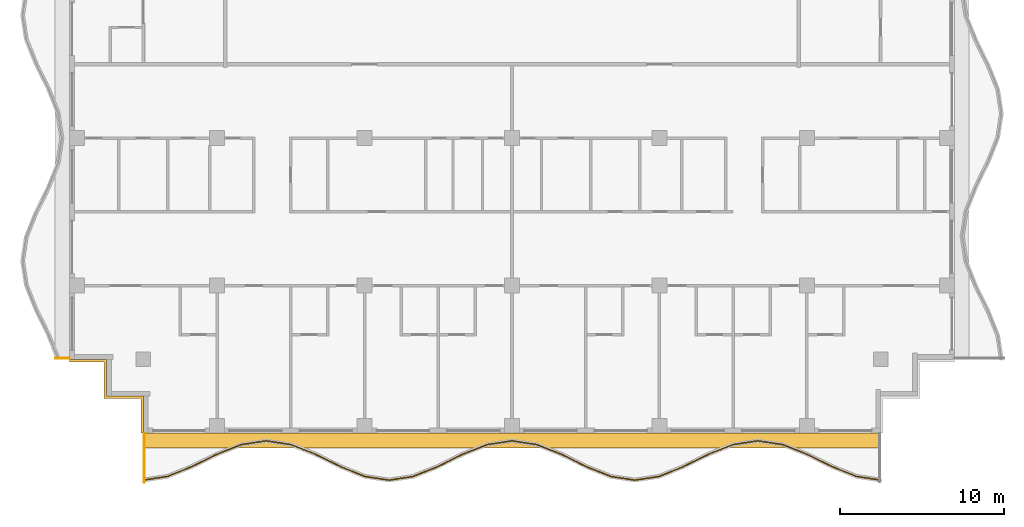
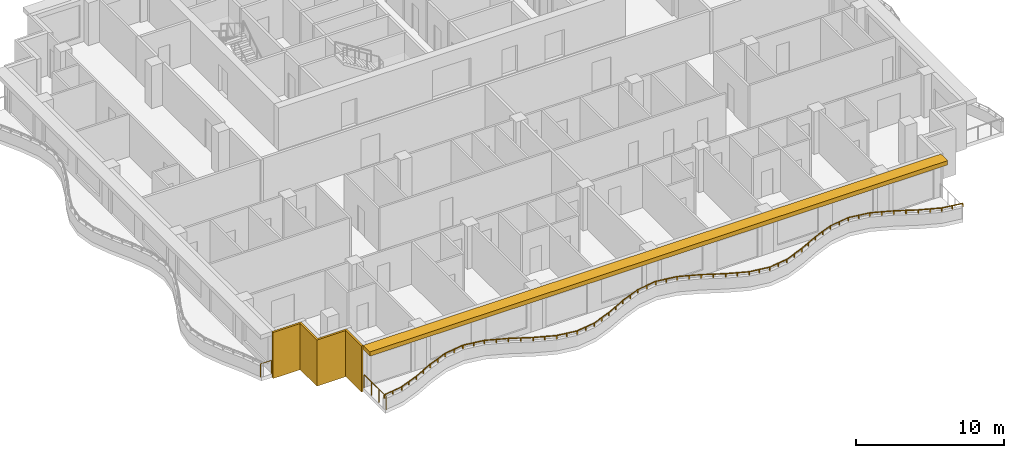
# One storey, part 8 of 11: 3 railings, 2 shading devices.
"""IFC4 building model written with IfcOpenShell, lengths in metres."""

from ifc_helpers import new_model, si_unit, direction, frame, origin, origin_2d, place, context, subcontext, project, spatial, polyline, rectangle, outline, extrude, material, layer, layer_set, type_object, element, save


model = new_model("IFC4")

# Units and contexts
model_context = context("Model", 3, precision=1e-05, world=origin(), true_north=direction((0.0, 1.0)))
body_context = subcontext(model_context, "Body", "Model", "MODEL_VIEW")
ifc_project = project(units=[si_unit("LENGTHUNIT", "METRE"), si_unit("AREAUNIT", "SQUARE_METRE"), si_unit("VOLUMEUNIT", "CUBIC_METRE"), si_unit("PLANEANGLEUNIT", "RADIAN"), si_unit("MASSUNIT", "GRAM", prefix="KILO")], contexts=[model_context])

# Site, building, storey
site_placement = place(None, origin())
site = spatial("IfcSite", under=ifc_project, at=site_placement, CompositionType="ELEMENT")
building_placement = place(site_placement, origin())
building = spatial("IfcBuilding", under=site, at=building_placement, Name="Orbiselva Terraces", CompositionType="ELEMENT")
storey_placement = place(building_placement, frame((0.0, 0.0, 280.6)))
storey = spatial("IfcBuildingStorey", under=building, at=storey_placement, Name="L71", CompositionType="ELEMENT", Elevation=280.6)

# Railings
ifc_material_1 = material(Name="Bonded two-ply safety glass balustrade, stainless steel posts", Category="steel")
railing_type_1 = type_object("IfcRailingType", Name="ENV-BALUSTRADE-1200", PredefinedType="BALUSTRADE", material=ifc_material_1)
railing_1_placement = place(storey_placement, frame((-22.518879, -25.376434, 0.9)))
element("IfcRailing", 1, at=railing_1_placement, inside=storey, type_object=railing_type_1, Name="Balcony balustrade L71 S", PredefinedType="BALUSTRADE", context=body_context, shape_type="SweptSolid", body=[
    extrude(outline(polyline([(0.028868, 0.0), (0.014434, 0.025), (-0.014434, 0.025), (-0.028868, 0.0), (-0.014434, -0.025), (0.014434, -0.025), (0.028868, 0.0)])), frame((0.0, 0.0, 0.275), z_axis=(0.988528552748, 0.151034103443, 0.0), x_axis=(-0.151034103443, 0.988528552748, 0.0)), (0.0, 0.0, 1.0), 1.503038),
    extrude(outline(polyline([(0.028868, 0.0), (0.014434, 0.025), (-0.014434, 0.025), (-0.028868, 0.0), (-0.014434, -0.025), (0.014434, -0.025), (0.028868, 0.0)])), frame((1.485796, 0.22701, 0.275), z_axis=(0.928476561272, 0.371391000387, 0.0), x_axis=(-0.371391000387, 0.928476561272, 0.0)), (0.0, 0.0, 1.0), 1.596261),
    extrude(outline(polyline([(0.028868, 0.0), (0.014434, 0.025), (-0.014434, 0.025), (-0.028868, 0.0), (-0.014434, -0.025), (0.014434, -0.025), (0.028868, 0.0)])), frame((2.967887, 0.819847, 0.275), z_axis=(0.896416672454, 0.443212307306, 0.0), x_axis=(-0.443212307306, 0.896416672454, 0.0)), (0.0, 0.0, 1.0), 1.673329),
    extrude(outline(polyline([(0.028868, 0.0), (0.014434, 0.025), (-0.014434, 0.025), (-0.028868, 0.0), (-0.014434, -0.025), (0.014434, -0.025), (0.028868, 0.0)])), frame((4.467887, 1.561487, 0.275), z_axis=(0.92847681744, 0.371390359967, 0.0), x_axis=(-0.371390359967, 0.92847681744, 0.0)), (0.0, 0.0, 1.0), 1.634838),
    extrude(outline(polyline([(0.028868, 0.0), (0.014434, 0.025), (-0.014434, 0.025), (-0.028868, 0.0), (-0.014434, -0.025), (0.014434, -0.025), (0.028868, 0.0)])), frame((5.985796, 2.16865, 0.275), z_axis=(0.988528536275, 0.151034211256, 0.0), x_axis=(-0.151034211256, 0.988528536275, 0.0)), (0.0, 0.0, 1.0), 1.550874),
    extrude(outline(polyline([(0.028868, 0.0), (0.014434, 0.025), (-0.014434, 0.025), (-0.028868, 0.0), (-0.014434, -0.025), (0.014434, -0.025), (0.028868, 0.0)])), frame((7.518879, 2.402885, 0.275), z_axis=(0.988528536275, -0.151034211256, 0.0), x_axis=(0.151034211256, 0.988528536275, 0.0)), (0.0, 0.0, 1.0), 1.550874),
    extrude(outline(polyline([(0.028868, 0.0), (0.014434, 0.025), (-0.014434, 0.025), (-0.028868, 0.0), (-0.014434, -0.025), (0.014434, -0.025), (0.028868, 0.0)])), frame((9.051962, 2.16865, 0.275), z_axis=(0.92847681744, -0.371390359967, 0.0), x_axis=(0.371390359967, 0.92847681744, 0.0)), (0.0, 0.0, 1.0), 1.634838),
    extrude(outline(polyline([(0.028868, 0.0), (0.014434, 0.025), (-0.014434, 0.025), (-0.028868, 0.0), (-0.014434, -0.025), (0.014434, -0.025), (0.028868, 0.0)])), frame((10.569871, 1.561487, 0.275), z_axis=(0.896416672454, -0.443212307306, 0.0), x_axis=(0.443212307306, 0.896416672454, 0.0)), (0.0, 0.0, 1.0), 1.673329),
    extrude(outline(polyline([(0.028868, 0.0), (0.014434, 0.025), (-0.014434, 0.025), (-0.028868, 0.0), (-0.014434, -0.025), (0.014434, -0.025), (0.028868, 0.0)])), frame((12.069871, 0.819847, 0.275), z_axis=(0.928476561272, -0.371391000387, 0.0), x_axis=(0.371391000387, 0.928476561272, 0.0)), (0.0, 0.0, 1.0), 1.596261),
    extrude(outline(polyline([(0.028868, 0.0), (0.014434, 0.025), (-0.014434, 0.025), (-0.028868, 0.0), (-0.014434, -0.025), (0.014434, -0.025), (0.028868, 0.0)])), frame((13.551962, 0.22701, 0.275), z_axis=(0.988528606898, -0.151033749027, 0.0), x_axis=(0.151033749027, 0.988528606898, 0.0)), (0.0, 0.0, 1.0), 1.48394),
    extrude(outline(polyline([(0.028868, 0.0), (0.014434, 0.025), (-0.014434, 0.025), (-0.028868, 0.0), (-0.014434, -0.025), (0.014434, -0.025), (0.028868, 0.0)])), frame((15.018879, 0.002885, 0.275), z_axis=(0.988528606898, 0.151033749027, 0.0), x_axis=(-0.151033749027, 0.988528606898, 0.0)), (0.0, 0.0, 1.0), 1.48394),
    extrude(outline(polyline([(0.028868, 0.0), (0.014434, 0.025), (-0.014434, 0.025), (-0.028868, 0.0), (-0.014434, -0.025), (0.014434, -0.025), (0.028868, 0.0)])), frame((16.485796, 0.22701, 0.275), z_axis=(0.928476561272, 0.371391000387, 0.0), x_axis=(-0.371391000387, 0.928476561272, 0.0)), (0.0, 0.0, 1.0), 1.596261),
    extrude(outline(polyline([(0.028868, 0.0), (0.014434, 0.025), (-0.014434, 0.025), (-0.028868, 0.0), (-0.014434, -0.025), (0.014434, -0.025), (0.028868, 0.0)])), frame((17.967887, 0.819847, 0.275), z_axis=(0.896416672454, 0.443212307306, 0.0), x_axis=(-0.443212307306, 0.896416672454, 0.0)), (0.0, 0.0, 1.0), 1.673329),
    extrude(outline(polyline([(0.028868, 0.0), (0.014434, 0.025), (-0.014434, 0.025), (-0.028868, 0.0), (-0.014434, -0.025), (0.014434, -0.025), (0.028868, 0.0)])), frame((19.467887, 1.561487, 0.275), z_axis=(0.92847681744, 0.371390359967, 0.0), x_axis=(-0.371390359967, 0.92847681744, 0.0)), (0.0, 0.0, 1.0), 1.634838),
    extrude(outline(polyline([(0.028868, 0.0), (0.014434, 0.025), (-0.014434, 0.025), (-0.028868, 0.0), (-0.014434, -0.025), (0.014434, -0.025), (0.028868, 0.0)])), frame((20.985796, 2.16865, 0.275), z_axis=(0.988528536275, 0.151034211256, 0.0), x_axis=(-0.151034211256, 0.988528536275, 0.0)), (0.0, 0.0, 1.0), 1.550874),
    extrude(outline(polyline([(0.028868, 0.0), (0.014434, 0.025), (-0.014434, 0.025), (-0.028868, 0.0), (-0.014434, -0.025), (0.014434, -0.025), (0.028868, 0.0)])), frame((22.518879, 2.402885, 0.275), z_axis=(0.988528536275, -0.151034211256, 0.0), x_axis=(0.151034211256, 0.988528536275, 0.0)), (0.0, 0.0, 1.0), 1.550874),
    extrude(outline(polyline([(0.028868, 0.0), (0.014434, 0.025), (-0.014434, 0.025), (-0.028868, 0.0), (-0.014434, -0.025), (0.014434, -0.025), (0.028868, 0.0)])), frame((24.051962, 2.16865, 0.275), z_axis=(0.92847681744, -0.371390359967, 0.0), x_axis=(0.371390359967, 0.92847681744, 0.0)), (0.0, 0.0, 1.0), 1.634838),
    extrude(outline(polyline([(0.028868, 0.0), (0.014434, 0.025), (-0.014434, 0.025), (-0.028868, 0.0), (-0.014434, -0.025), (0.014434, -0.025), (0.028868, 0.0)])), frame((25.569871, 1.561487, 0.275), z_axis=(0.896416672454, -0.443212307306, 0.0), x_axis=(0.443212307306, 0.896416672454, 0.0)), (0.0, 0.0, 1.0), 1.673329),
    extrude(outline(polyline([(0.028868, 0.0), (0.014434, 0.025), (-0.014434, 0.025), (-0.028868, 0.0), (-0.014434, -0.025), (0.014434, -0.025), (0.028868, 0.0)])), frame((27.069871, 0.819847, 0.275), z_axis=(0.928476561272, -0.371391000387, 0.0), x_axis=(0.371391000387, 0.928476561272, 0.0)), (0.0, 0.0, 1.0), 1.596261),
    extrude(outline(polyline([(0.028868, 0.0), (0.014434, 0.025), (-0.014434, 0.025), (-0.028868, 0.0), (-0.014434, -0.025), (0.014434, -0.025), (0.028868, 0.0)])), frame((28.551962, 0.22701, 0.275), z_axis=(0.988528606898, -0.151033749027, 0.0), x_axis=(0.151033749027, 0.988528606898, 0.0)), (0.0, 0.0, 1.0), 1.48394),
    extrude(outline(polyline([(0.028868, 0.0), (0.014434, 0.025), (-0.014434, 0.025), (-0.028868, 0.0), (-0.014434, -0.025), (0.014434, -0.025), (0.028868, 0.0)])), frame((30.018879, 0.002885, 0.275), z_axis=(0.988528606898, 0.151033749027, 0.0), x_axis=(-0.151033749027, 0.988528606898, 0.0)), (0.0, 0.0, 1.0), 1.48394),
    extrude(outline(polyline([(0.028868, 0.0), (0.014434, 0.025), (-0.014434, 0.025), (-0.028868, 0.0), (-0.014434, -0.025), (0.014434, -0.025), (0.028868, 0.0)])), frame((31.485796, 0.22701, 0.275), z_axis=(0.928476561272, 0.371391000387, 0.0), x_axis=(-0.371391000387, 0.928476561272, 0.0)), (0.0, 0.0, 1.0), 1.596261),
    extrude(outline(polyline([(0.028868, 0.0), (0.014434, 0.025), (-0.014434, 0.025), (-0.028868, 0.0), (-0.014434, -0.025), (0.014434, -0.025), (0.028868, 0.0)])), frame((32.967887, 0.819847, 0.275), z_axis=(0.896416672454, 0.443212307306, 0.0), x_axis=(-0.443212307306, 0.896416672454, 0.0)), (0.0, 0.0, 1.0), 1.673329),
    extrude(outline(polyline([(0.028868, 0.0), (0.014434, 0.025), (-0.014434, 0.025), (-0.028868, 0.0), (-0.014434, -0.025), (0.014434, -0.025), (0.028868, 0.0)])), frame((34.467887, 1.561487, 0.275), z_axis=(0.92847681744, 0.371390359967, 0.0), x_axis=(-0.371390359967, 0.92847681744, 0.0)), (0.0, 0.0, 1.0), 1.634838),
    extrude(outline(polyline([(0.028868, 0.0), (0.014434, 0.025), (-0.014434, 0.025), (-0.028868, 0.0), (-0.014434, -0.025), (0.014434, -0.025), (0.028868, 0.0)])), frame((35.985796, 2.16865, 0.275), z_axis=(0.988528536275, 0.151034211256, 0.0), x_axis=(-0.151034211256, 0.988528536275, 0.0)), (0.0, 0.0, 1.0), 1.550874),
    extrude(outline(polyline([(0.028868, 0.0), (0.014434, 0.025), (-0.014434, 0.025), (-0.028868, 0.0), (-0.014434, -0.025), (0.014434, -0.025), (0.028868, 0.0)])), frame((37.518879, 2.402885, 0.275), z_axis=(0.988528536275, -0.151034211256, 0.0), x_axis=(0.151034211256, 0.988528536275, 0.0)), (0.0, 0.0, 1.0), 1.550874),
    extrude(outline(polyline([(0.028868, 0.0), (0.014434, 0.025), (-0.014434, 0.025), (-0.028868, 0.0), (-0.014434, -0.025), (0.014434, -0.025), (0.028868, 0.0)])), frame((39.051962, 2.16865, 0.275), z_axis=(0.92847681744, -0.371390359967, 0.0), x_axis=(0.371390359967, 0.92847681744, 0.0)), (0.0, 0.0, 1.0), 1.634838),
    extrude(outline(polyline([(0.028868, 0.0), (0.014434, 0.025), (-0.014434, 0.025), (-0.028868, 0.0), (-0.014434, -0.025), (0.014434, -0.025), (0.028868, 0.0)])), frame((40.569871, 1.561487, 0.275), z_axis=(0.896416672454, -0.443212307306, 0.0), x_axis=(0.443212307306, 0.896416672454, 0.0)), (0.0, 0.0, 1.0), 1.673329),
    extrude(outline(polyline([(0.028868, 0.0), (0.014434, 0.025), (-0.014434, 0.025), (-0.028868, 0.0), (-0.014434, -0.025), (0.014434, -0.025), (0.028868, 0.0)])), frame((42.069871, 0.819847, 0.275), z_axis=(0.928476561272, -0.371391000387, 0.0), x_axis=(0.371391000387, 0.928476561272, 0.0)), (0.0, 0.0, 1.0), 1.596261),
    extrude(outline(polyline([(0.028868, 0.0), (0.014434, 0.025), (-0.014434, 0.025), (-0.028868, 0.0), (-0.014434, -0.025), (0.014434, -0.025), (0.028868, 0.0)])), frame((43.551962, 0.22701, 0.275), z_axis=(0.988528552748, -0.151034103443, 0.0), x_axis=(0.151034103443, 0.988528552748, 0.0)), (0.0, 0.0, 1.0), 1.503038),
    extrude(rectangle(XDim=0.05, YDim=0.05, at=origin_2d()), origin(), (0.0, 0.0, 1.0), 0.25),
    extrude(rectangle(XDim=0.05, YDim=0.05, at=origin_2d()), frame((0.742898, 0.113505, 0.0)), (0.0, 0.0, 1.0), 0.25),
    extrude(rectangle(XDim=0.05, YDim=0.05, at=origin_2d()), frame((1.485796, 0.22701, 0.0)), (0.0, 0.0, 1.0), 0.25),
    extrude(rectangle(XDim=0.05, YDim=0.05, at=origin_2d()), frame((2.226841, 0.523428, 0.0)), (0.0, 0.0, 1.0), 0.25),
    extrude(rectangle(XDim=0.05, YDim=0.05, at=origin_2d()), frame((2.967887, 0.819847, 0.0)), (0.0, 0.0, 1.0), 0.25),
    extrude(rectangle(XDim=0.05, YDim=0.05, at=origin_2d()), frame((3.717887, 1.190667, 0.0)), (0.0, 0.0, 1.0), 0.25),
    extrude(rectangle(XDim=0.05, YDim=0.05, at=origin_2d()), frame((4.467887, 1.561487, 0.0)), (0.0, 0.0, 1.0), 0.25),
    extrude(rectangle(XDim=0.05, YDim=0.05, at=origin_2d()), frame((5.226841, 1.865068, 0.0)), (0.0, 0.0, 1.0), 0.25),
    extrude(rectangle(XDim=0.05, YDim=0.05, at=origin_2d()), frame((5.985796, 2.16865, 0.0)), (0.0, 0.0, 1.0), 0.25),
    extrude(rectangle(XDim=0.05, YDim=0.05, at=origin_2d()), frame((6.752337, 2.285768, 0.0)), (0.0, 0.0, 1.0), 0.25),
    extrude(rectangle(XDim=0.05, YDim=0.05, at=origin_2d()), frame((7.518879, 2.402885, 0.0)), (0.0, 0.0, 1.0), 0.25),
    extrude(rectangle(XDim=0.05, YDim=0.05, at=origin_2d()), frame((8.28542, 2.285768, 0.0)), (0.0, 0.0, 1.0), 0.25),
    extrude(rectangle(XDim=0.05, YDim=0.05, at=origin_2d()), frame((9.051962, 2.16865, 0.0)), (0.0, 0.0, 1.0), 0.25),
    extrude(rectangle(XDim=0.05, YDim=0.05, at=origin_2d()), frame((9.810916, 1.865068, 0.0)), (0.0, 0.0, 1.0), 0.25),
    extrude(rectangle(XDim=0.05, YDim=0.05, at=origin_2d()), frame((10.569871, 1.561487, 0.0)), (0.0, 0.0, 1.0), 0.25),
    extrude(rectangle(XDim=0.05, YDim=0.05, at=origin_2d()), frame((11.319871, 1.190667, 0.0)), (0.0, 0.0, 1.0), 0.25),
    extrude(rectangle(XDim=0.05, YDim=0.05, at=origin_2d()), frame((12.069871, 0.819847, 0.0)), (0.0, 0.0, 1.0), 0.25),
    extrude(rectangle(XDim=0.05, YDim=0.05, at=origin_2d()), frame((12.810916, 0.523428, 0.0)), (0.0, 0.0, 1.0), 0.25),
    extrude(rectangle(XDim=0.05, YDim=0.05, at=origin_2d()), frame((13.551962, 0.22701, 0.0)), (0.0, 0.0, 1.0), 0.25),
    extrude(rectangle(XDim=0.05, YDim=0.05, at=origin_2d()), frame((14.28542, 0.114947, 0.0)), (0.0, 0.0, 1.0), 0.25),
    extrude(rectangle(XDim=0.05, YDim=0.05, at=origin_2d()), frame((15.018879, 0.002885, 0.0)), (0.0, 0.0, 1.0), 0.25),
    extrude(rectangle(XDim=0.05, YDim=0.05, at=origin_2d()), frame((15.752337, 0.114947, 0.0)), (0.0, 0.0, 1.0), 0.25),
    extrude(rectangle(XDim=0.05, YDim=0.05, at=origin_2d()), frame((16.485796, 0.22701, 0.0)), (0.0, 0.0, 1.0), 0.25),
    extrude(rectangle(XDim=0.05, YDim=0.05, at=origin_2d()), frame((17.226842, 0.523428, 0.0)), (0.0, 0.0, 1.0), 0.25),
    extrude(rectangle(XDim=0.05, YDim=0.05, at=origin_2d()), frame((17.967887, 0.819847, 0.0)), (0.0, 0.0, 1.0), 0.25),
    extrude(rectangle(XDim=0.05, YDim=0.05, at=origin_2d()), frame((18.717887, 1.190667, 0.0)), (0.0, 0.0, 1.0), 0.25),
    extrude(rectangle(XDim=0.05, YDim=0.05, at=origin_2d()), frame((19.467887, 1.561487, 0.0)), (0.0, 0.0, 1.0), 0.25),
    extrude(rectangle(XDim=0.05, YDim=0.05, at=origin_2d()), frame((20.226842, 1.865068, 0.0)), (0.0, 0.0, 1.0), 0.25),
    extrude(rectangle(XDim=0.05, YDim=0.05, at=origin_2d()), frame((20.985796, 2.16865, 0.0)), (0.0, 0.0, 1.0), 0.25),
    extrude(rectangle(XDim=0.05, YDim=0.05, at=origin_2d()), frame((21.752337, 2.285768, 0.0)), (0.0, 0.0, 1.0), 0.25),
    extrude(rectangle(XDim=0.05, YDim=0.05, at=origin_2d()), frame((22.518879, 2.402885, 0.0)), (0.0, 0.0, 1.0), 0.25),
    extrude(rectangle(XDim=0.05, YDim=0.05, at=origin_2d()), frame((23.28542, 2.285768, 0.0)), (0.0, 0.0, 1.0), 0.25),
    extrude(rectangle(XDim=0.05, YDim=0.05, at=origin_2d()), frame((24.051962, 2.16865, 0.0)), (0.0, 0.0, 1.0), 0.25),
    extrude(rectangle(XDim=0.05, YDim=0.05, at=origin_2d()), frame((24.810916, 1.865068, 0.0)), (0.0, 0.0, 1.0), 0.25),
    extrude(rectangle(XDim=0.05, YDim=0.05, at=origin_2d()), frame((25.569871, 1.561487, 0.0)), (0.0, 0.0, 1.0), 0.25),
    extrude(rectangle(XDim=0.05, YDim=0.05, at=origin_2d()), frame((26.319871, 1.190667, 0.0)), (0.0, 0.0, 1.0), 0.25),
    extrude(rectangle(XDim=0.05, YDim=0.05, at=origin_2d()), frame((27.069871, 0.819847, 0.0)), (0.0, 0.0, 1.0), 0.25),
    extrude(rectangle(XDim=0.05, YDim=0.05, at=origin_2d()), frame((27.810916, 0.523428, 0.0)), (0.0, 0.0, 1.0), 0.25),
    extrude(rectangle(XDim=0.05, YDim=0.05, at=origin_2d()), frame((28.551962, 0.22701, 0.0)), (0.0, 0.0, 1.0), 0.25),
    extrude(rectangle(XDim=0.05, YDim=0.05, at=origin_2d()), frame((29.28542, 0.114947, 0.0)), (0.0, 0.0, 1.0), 0.25),
    extrude(rectangle(XDim=0.05, YDim=0.05, at=origin_2d()), frame((30.018879, 0.002885, 0.0)), (0.0, 0.0, 1.0), 0.25),
    extrude(rectangle(XDim=0.05, YDim=0.05, at=origin_2d()), frame((30.752338, 0.114947, 0.0)), (0.0, 0.0, 1.0), 0.25),
    extrude(rectangle(XDim=0.05, YDim=0.05, at=origin_2d()), frame((31.485796, 0.22701, 0.0)), (0.0, 0.0, 1.0), 0.25),
    extrude(rectangle(XDim=0.05, YDim=0.05, at=origin_2d()), frame((32.226842, 0.523428, 0.0)), (0.0, 0.0, 1.0), 0.25),
    extrude(rectangle(XDim=0.05, YDim=0.05, at=origin_2d()), frame((32.967887, 0.819847, 0.0)), (0.0, 0.0, 1.0), 0.25),
    extrude(rectangle(XDim=0.05, YDim=0.05, at=origin_2d()), frame((33.717887, 1.190667, 0.0)), (0.0, 0.0, 1.0), 0.25),
    extrude(rectangle(XDim=0.05, YDim=0.05, at=origin_2d()), frame((34.467887, 1.561487, 0.0)), (0.0, 0.0, 1.0), 0.25),
    extrude(rectangle(XDim=0.05, YDim=0.05, at=origin_2d()), frame((35.226842, 1.865068, 0.0)), (0.0, 0.0, 1.0), 0.25),
    extrude(rectangle(XDim=0.05, YDim=0.05, at=origin_2d()), frame((35.985796, 2.16865, 0.0)), (0.0, 0.0, 1.0), 0.25),
    extrude(rectangle(XDim=0.05, YDim=0.05, at=origin_2d()), frame((36.752337, 2.285768, 0.0)), (0.0, 0.0, 1.0), 0.25),
    extrude(rectangle(XDim=0.05, YDim=0.05, at=origin_2d()), frame((37.518879, 2.402885, 0.0)), (0.0, 0.0, 1.0), 0.25),
    extrude(rectangle(XDim=0.05, YDim=0.05, at=origin_2d()), frame((38.28542, 2.285768, 0.0)), (0.0, 0.0, 1.0), 0.25),
    extrude(rectangle(XDim=0.05, YDim=0.05, at=origin_2d()), frame((39.051962, 2.16865, 0.0)), (0.0, 0.0, 1.0), 0.25),
    extrude(rectangle(XDim=0.05, YDim=0.05, at=origin_2d()), frame((39.810917, 1.865068, 0.0)), (0.0, 0.0, 1.0), 0.25),
    extrude(rectangle(XDim=0.05, YDim=0.05, at=origin_2d()), frame((40.569871, 1.561487, 0.0)), (0.0, 0.0, 1.0), 0.25),
    extrude(rectangle(XDim=0.05, YDim=0.05, at=origin_2d()), frame((41.319871, 1.190667, 0.0)), (0.0, 0.0, 1.0), 0.25),
    extrude(rectangle(XDim=0.05, YDim=0.05, at=origin_2d()), frame((42.069871, 0.819847, 0.0)), (0.0, 0.0, 1.0), 0.25),
    extrude(rectangle(XDim=0.05, YDim=0.05, at=origin_2d()), frame((42.810917, 0.523428, 0.0)), (0.0, 0.0, 1.0), 0.25),
    extrude(rectangle(XDim=0.05, YDim=0.05, at=origin_2d()), frame((43.551962, 0.22701, 0.0)), (0.0, 0.0, 1.0), 0.25),
    extrude(rectangle(XDim=0.05, YDim=0.05, at=origin_2d()), frame((44.29486, 0.113505, 0.0)), (0.0, 0.0, 1.0), 0.25),
    extrude(rectangle(XDim=0.05, YDim=0.05, at=origin_2d()), frame((45.037758, 0.0, 0.0)), (0.0, 0.0, 1.0), 0.25),
])
ifc_material_2 = material(Name="Stainless steel rail and posts", Category="steel")
railing_type_2 = type_object("IfcRailingType", Name="ENV-GUARD-1105", PredefinedType="BALUSTRADE", material=ifc_material_2)
railing_2_placement = place(storey_placement, frame((-22.44, -25.499621, 0.0)))
element("IfcRailing", 2, at=railing_2_placement, inside=storey, type_object=railing_type_2, Name="Balcony end guard L71 S", PredefinedType="BALUSTRADE", context=body_context, shape_type="SweptSolid", body=[
    extrude(outline(polyline([(0.028868, 0.0), (0.014434, 0.025), (-0.014434, 0.025), (-0.028868, 0.0), (-0.014434, -0.025), (0.014434, -0.025), (0.028868, 0.0)])), frame((0.0, 0.0, 1.08), z_axis=(0.0, 1.0, 0.0), x_axis=(-1.0, 0.0, 0.0)), (0.0, 0.0, 1.0), 2.974621),
    extrude(rectangle(XDim=0.05, YDim=0.05, at=origin_2d()), origin(), (0.0, 0.0, 1.0), 1.055),
    extrude(rectangle(XDim=0.05, YDim=0.05, at=origin_2d()), frame((0.0, 0.99154, 0.0)), (0.0, 0.0, 1.0), 1.055),
    extrude(rectangle(XDim=0.05, YDim=0.05, at=origin_2d()), frame((0.0, 1.983081, 0.0)), (0.0, 0.0, 1.0), 1.055),
    extrude(rectangle(XDim=0.05, YDim=0.05, at=origin_2d()), frame((0.0, 2.974621, 0.0)), (0.0, 0.0, 1.0), 1.055),
])
railing_3_placement = place(storey_placement, frame((-27.847212, -17.94, 0.0)))
element("IfcRailing", 3, at=railing_3_placement, inside=storey, type_object=railing_type_2, Name="Balcony end guard L71 W", PredefinedType="BALUSTRADE", context=body_context, shape_type="SweptSolid", body=[
    extrude(outline(polyline([(0.028868, 0.0), (0.014434, 0.025), (-0.014434, 0.025), (-0.028868, 0.0), (-0.014434, -0.025), (0.014434, -0.025), (0.028868, 0.0)])), frame((0.0, 0.0, 1.08), z_axis=(1.0, 0.0, 0.0), x_axis=(0.0, 1.0, 0.0)), (0.0, 0.0, 1.0), 0.822212),
    extrude(rectangle(XDim=0.05, YDim=0.05, at=origin_2d()), origin(), (0.0, 0.0, 1.0), 1.055),
    extrude(rectangle(XDim=0.05, YDim=0.05, at=origin_2d()), frame((0.822212, 0.0, 0.0)), (0.0, 0.0, 1.0), 1.055),
])

# Shading devices
ifc_material_3 = material(Name="Terracotta louvre screen", Category="masonry")
ifc_layer_1 = layer(ifc_material_3, 0.15)
ifc_layer_set_1 = layer_set([ifc_layer_1], Name="Terracotta louvre screen")
shading_device_type_1 = type_object("IfcShadingDeviceType", Name="ENV-SCREEN-150", PredefinedType="USERDEFINED", material=ifc_layer_set_1)
shading_device_1_placement = place(storey_placement, frame((0.0, 0.0, -0.3)))
element("IfcShadingDevice", 4, at=shading_device_1_placement, inside=storey, type_object=shading_device_type_1, Name="Louvre screen L71 SW", ObjectType="SCREEN", PredefinedType="USERDEFINED", context=body_context, shape_type="SweptSolid", body=[
    extrude(outline(polyline([(-27.0, -18.15), (-24.9, -18.15), (-24.9, -20.4), (-22.65, -20.4), (-22.65, -22.5), (-22.5, -22.5), (-22.5, -20.25), (-24.75, -20.25), (-24.75, -18.0), (-27.0, -18.0), (-27.0, -18.15)])), origin(), (0.0, 0.0, 1.0), 3.8),
])
ifc_material_4 = material(Name="Terracotta baguette sunshade", Category="masonry")
ifc_layer_2 = layer(ifc_material_4, 0.35)
ifc_layer_set_2 = layer_set([ifc_layer_2], Name="Terracotta baguette sunshade")
shading_device_type_2 = type_object("IfcShadingDeviceType", Name="ENV-SUNSHADE-900x350", PredefinedType="USERDEFINED", material=ifc_layer_set_2)
shading_device_2_placement = place(storey_placement, frame((0.0, 0.0, 3.15)))
element("IfcShadingDevice", 5, at=shading_device_2_placement, inside=storey, type_object=shading_device_type_2, Name="Sunshade band L71 S", ObjectType="SUNSHADE", PredefinedType="USERDEFINED", context=body_context, shape_type="SweptSolid", body=[
    extrude(outline(polyline([(-22.5, -23.4), (22.5, -23.4), (22.5, -22.5), (-22.5, -22.5), (-22.5, -23.4)])), origin(), (0.0, 0.0, 1.0), 0.35),
])

save(model, "model.ifc")
